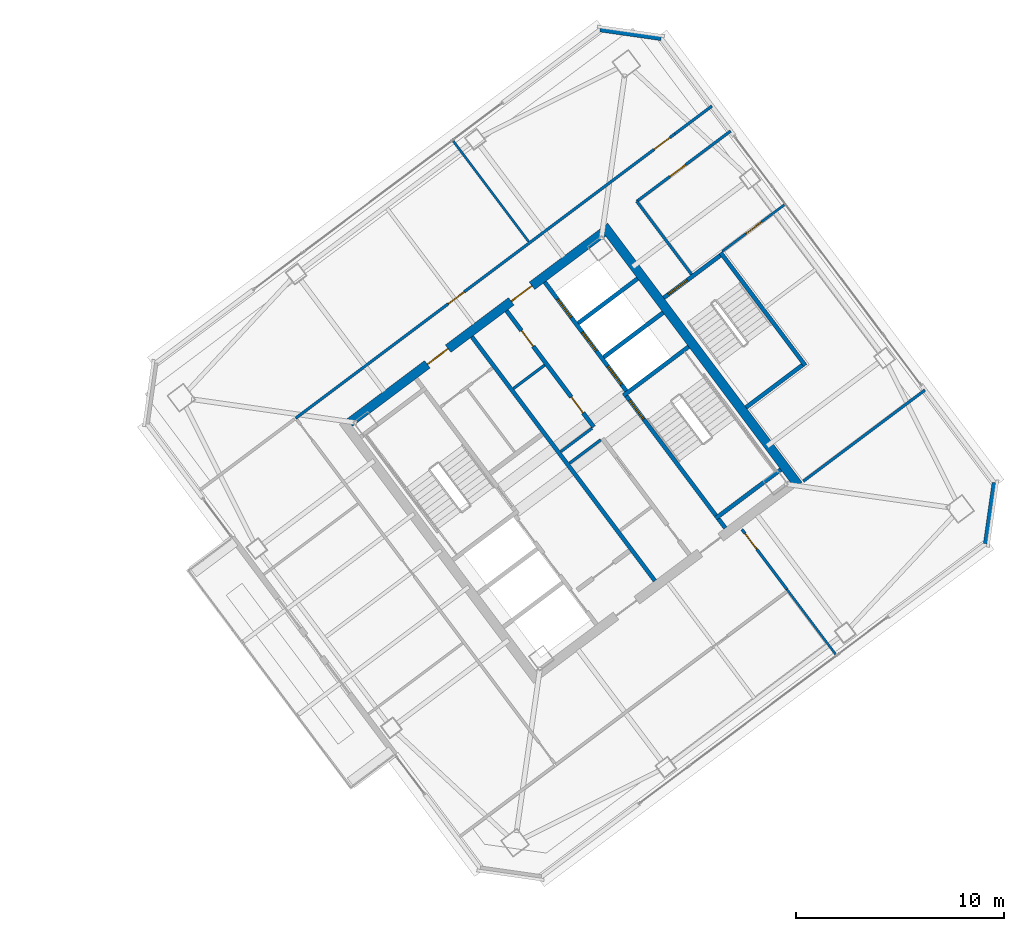
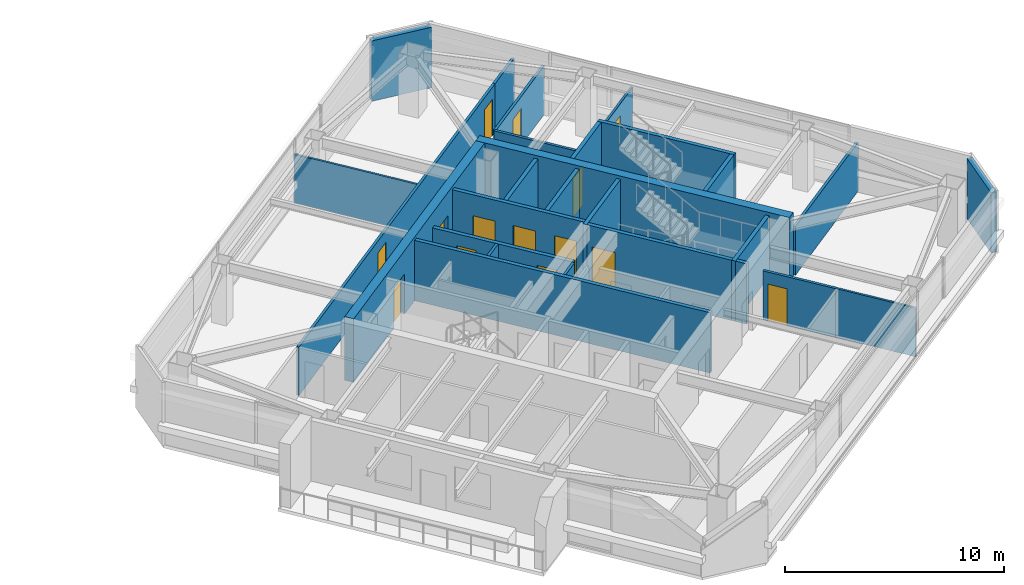
# One storey, part 32 of 39: 27 walls, 14 doors, 14 openings.
"""IFC4 building model written with IfcOpenShell, lengths in metres."""

from ifc_helpers import new_model, si_unit, direction, frame, frame_2d, origin, place, context, subcontext, project, spatial, rectangle, extrude, material, layer, layer_set, type_object, element, fill, save


model = new_model("IFC4")

# Units and contexts
model_context = context("Model", 3, precision=1e-05, world=origin(), true_north=direction((0.0, 1.0)))
body_context = subcontext(model_context, "Body", "Model", "MODEL_VIEW")
ifc_project = project(units=[si_unit("LENGTHUNIT", "METRE"), si_unit("AREAUNIT", "SQUARE_METRE"), si_unit("VOLUMEUNIT", "CUBIC_METRE"), si_unit("PLANEANGLEUNIT", "RADIAN"), si_unit("MASSUNIT", "GRAM", prefix="KILO")], contexts=[model_context])

# Site, building, storey
site_placement = place(None, origin())
site = spatial("IfcSite", under=ifc_project, at=site_placement, CompositionType="ELEMENT")
building_placement = place(site_placement, origin())
building = spatial("IfcBuilding", under=site, at=building_placement, Name="Tashvorn Skyway Center", CompositionType="ELEMENT")
storey_placement = place(building_placement, frame((0.0, 0.0, 225.5)))
storey = spatial("IfcBuildingStorey", under=building, at=storey_placement, Name="L61", CompositionType="ELEMENT", Elevation=225.5)

# Wall
ifc_material_1 = material(Name="Concrete C50/60", Category="concrete")
ifc_layer_1 = layer(ifc_material_1, 0.449951171875)
ifc_layer_set_1 = layer_set([ifc_layer_1], Name="Concrete C50/60")
wall_type_1 = type_object("IfcWallType", Name="WALL-CORE-450", PredefinedType="SHEAR", material=ifc_layer_set_1)
wall_1_placement = place(storey_placement, frame((115.60400390625, 42.952880859375, 0.0), z_axis=(0.0, 0.0, 1.0), x_axis=(0.600005007985, -0.799996243986, 0.0)))
element("IfcWall", 1, at=wall_1_placement, inside=storey, type_object=wall_type_1, Name="Tower 2 L61 East Core Shear Wall", PredefinedType="SHEAR", context=body_context, shape_type="SweptSolid", body=[
    extrude(rectangle(XDim=15.60009765625, YDim=0.449951171875, at=frame_2d((7.800048828125, 0.0))), origin(), (0.0, 0.0, 1.0), 3.550048828125),
])

# Wall, openings, doors
wall_2_placement = place(storey_placement, frame((103.35107421875, 33.48193359375, 0.0), z_axis=(0.0, 0.0, 1.0), x_axis=(0.8, 0.6, 0.0)))
wall_2 = element("IfcWall", 2, at=wall_2_placement, inside=storey, type_object=wall_type_1, Name="Tower 2 L61 North Core Shear Wall", PredefinedType="SHEAR", context=body_context, shape_type="SweptSolid", body=[
    extrude(rectangle(XDim=15.260009765625, YDim=0.449951171875, at=frame_2d((7.6298828125, 0.0))), origin(), (0.0, 0.0, 1.0), 3.550048828125),
])
opening_1_placement = place(wall_2_placement, frame((4.679931640625, 0.0, 0.0)))
opening_1 = element("IfcOpeningElement", 3, at=opening_1_placement, cuts=wall_2, Name="Opening D-FFL-1250", PredefinedType="OPENING", context=body_context, shape_type="SweptSolid", body=[
    extrude(rectangle(XDim=1.25, YDim=2.25, at=frame_2d((0.625, 1.125))), frame((0.0, 0.23486328125, 0.0), z_axis=(0.0, -1.0, 0.0), x_axis=(1.0, 0.0, 0.0)), (0.0, 0.0, 1.0), 0.469970703125),
])
opening_2_placement = place(wall_2_placement, frame((9.72998046875, 0.0, 0.0)))
opening_2 = element("IfcOpeningElement", 4, at=opening_2_placement, cuts=wall_2, Name="Opening D-FFL-1250", PredefinedType="OPENING", context=body_context, shape_type="SweptSolid", body=[
    extrude(rectangle(XDim=1.25, YDim=2.25, at=frame_2d((0.625, 1.125))), frame((0.0, 0.23486328125, 0.0), z_axis=(0.0, -1.0, 0.0), x_axis=(1.0, 0.0, 0.0)), (0.0, 0.0, 1.0), 0.469970703125),
])
ifc_material_2 = material(Name="Hollow galvanized steel fire door assembly", Category="steel")
door_type_1 = type_object("IfcDoorType", Name="DOOR-FFL-1250", OperationType="NOTDEFINED", PredefinedType="DOOR", material=ifc_material_2)
door_1_placement = place(opening_1_placement, origin())
door_1 = element("IfcDoor", 5, at=door_1_placement, inside=storey, type_object=door_type_1, Name="Tower 2 L61 Core North Service Lobby Door", OperationType="SINGLE_SWING_LEFT", OverallHeight=2.25, OverallWidth=1.25, PredefinedType="DOOR", context=body_context, shape_type="SweptSolid", body=[
    extrude(rectangle(XDim=1.25, YDim=2.25, at=frame_2d((0.625, 1.125))), frame((0.0, 0.02490234375, 0.0), z_axis=(0.0, -1.0, 0.0), x_axis=(1.0, 0.0, 0.0)), (0.0, 0.0, 1.0), 0.050048828125),
])
fill(opening_1, door_1)
door_2_placement = place(opening_2_placement, origin())
door_2 = element("IfcDoor", 6, at=door_2_placement, inside=storey, type_object=door_type_1, Name="Tower 2 L61 Core North Lift Lobby Door", OperationType="SINGLE_SWING_RIGHT", OverallHeight=2.25, OverallWidth=1.25, PredefinedType="DOOR", context=body_context, shape_type="SweptSolid", body=[
    extrude(rectangle(XDim=1.25, YDim=2.25, at=frame_2d((0.625, 1.125))), frame((0.0, 0.02490234375, 0.0), z_axis=(0.0, -1.0, 0.0), x_axis=(1.0, 0.0, 0.0)), (0.0, 0.0, 1.0), 0.050048828125),
])
fill(opening_2, door_2)

# Walls
ifc_material_3 = material(Name="Precast concrete C40/50", Category="concrete")
ifc_layer_2 = layer(ifc_material_3, 0.280029296875)
ifc_layer_set_2 = layer_set([ifc_layer_2], Name="Precast concrete C40/50")
wall_type_2 = type_object("IfcWallType", Name="WALL-EXT-280", PredefinedType="SOLIDWALL", material=ifc_layer_set_2)
for number, where, z_axis, x_axis, name in (
    (7, (115.419921875, 52.43994140625, 0.0), (0.0, 0.0, 1.0), (0.989954425158, -0.14138683146, 0.0), "Tower 2 L61 NE Precast Chamfer Wall"),
    (8, (134.43994140625, 30.580078125, 0.0), (0.0, 0.0, 1.0), (-0.14138683146, -0.989954425158, 0.0), "Tower 2 L61 SE Precast Chamfer Wall"),
):
    element("IfcWall", number, at=place(storey_placement, frame(where, z_axis=z_axis, x_axis=x_axis)), inside=storey, type_object=wall_type_2, Name=name, PredefinedType="SOLIDWALL", context=body_context, shape_type="SweptSolid", body=[
        extrude(rectangle(XDim=2.969970703125, YDim=0.280029296875, at=frame_2d((1.48486328125, 0.0))), origin(), (0.0, 0.0, 1.0), 3.3701171875),
    ])
ifc_material_4 = material(Name="Gypsum board on cold-formed steel stud framing", Category="steel")
ifc_layer_3 = layer(ifc_material_4, 0.110107421875)
ifc_layer_set_3 = layer_set([ifc_layer_3], Name="Gypsum board on cold-formed steel stud framing")
wall_type_3 = type_object("IfcWallType", Name="WALL-PART-110", PredefinedType="PARTITIONING", material=ifc_layer_set_3)
wall_3_placement = place(storey_placement, frame((111.971923828125, 42.2041015625, 0.0), z_axis=(0.0, 0.0, 1.0), x_axis=(-0.6, 0.8, 0.0)))
element("IfcWall", 9, at=wall_3_placement, inside=storey, type_object=wall_type_3, Name="Tower 2 L61 North Suite Partition 1", PredefinedType="PARTITIONING", context=body_context, shape_type="SweptSolid", body=[
    extrude(rectangle(XDim=6.099853515625, YDim=0.110107421875, at=frame_2d((3.0498046875, 0.0))), origin(), (0.0, 0.0, 1.0), 2.722900390625),
])
wall_4_placement = place(storey_placement, frame((126.80810546875, 22.256103515625, 0.0), z_axis=(0.0, 0.0, 1.0), x_axis=(-0.600019580308, 0.799985314394, 0.0)))
element("IfcWall", 10, at=wall_4_placement, inside=storey, type_object=wall_type_3, Name="Tower 2 L61 South-East Suite Wall", PredefinedType="PARTITIONING", context=body_context, shape_type="SweptSolid", body=[
    extrude(rectangle(XDim=3.989990234375, YDim=0.110107421875, at=frame_2d((1.9951171875, 0.0))), origin(), (0.0, 0.0, 1.0), 2.722900390625),
])

# Wall, opening, door
wall_5_placement = place(storey_placement, frame((124.343994140625, 44.008056640625, 0.0), z_axis=(0.0, 0.0, 1.0), x_axis=(-0.8, -0.6, 0.0)))
wall_5 = element("IfcWall", 11, at=wall_5_placement, inside=storey, type_object=wall_type_3, Name="Tower 2 L61 East Suite Partition 1", PredefinedType="PARTITIONING", context=body_context, shape_type="SweptSolid", body=[
    extrude(rectangle(XDim=3.800048828125, YDim=0.110107421875, at=frame_2d((1.89990234375, 0.0))), origin(), (0.0, 0.0, 1.0), 2.722900390625),
])
opening_3_placement = place(wall_5_placement, frame((1.425048828125, 0.0, 0.0)))
opening_3 = element("IfcOpeningElement", 12, at=opening_3_placement, cuts=wall_5, Name="Opening D-INT-950", PredefinedType="OPENING", context=body_context, shape_type="SweptSolid", body=[
    extrude(rectangle(XDim=0.949951171875, YDim=2.050048828125, at=frame_2d((0.47509765625, 1.02490234375))), frame((0.0, 0.06494140625, 0.0), z_axis=(0.0, -1.0, 0.0), x_axis=(1.0, 0.0, 0.0)), (0.0, 0.0, 1.0), 0.130126953125),
])
ifc_material_5 = material(Name="Solid-core architectural oak veneer door")
door_type_2 = type_object("IfcDoorType", Name="DOOR-INT-950", OperationType="NOTDEFINED", PredefinedType="DOOR", material=ifc_material_5)
door_3_placement = place(opening_3_placement, origin())
door_3 = element("IfcDoor", 13, at=door_3_placement, inside=storey, type_object=door_type_2, Name="Tower 2 L61 Corporate Office Door", OperationType="SINGLE_SWING_RIGHT", OverallHeight=2.050048828125, OverallWidth=0.949951171875, PredefinedType="DOOR", context=body_context, shape_type="SweptSolid", body=[
    extrude(rectangle(XDim=0.949951171875, YDim=2.050048828125, at=frame_2d((0.47509765625, 1.02490234375))), frame((0.0, 0.02490234375, 0.0), z_axis=(0.0, -1.0, 0.0), x_axis=(1.0, 0.0, 0.0)), (0.0, 0.0, 1.0), 0.050048828125),
])
fill(opening_3, door_3)

# Wall
ifc_layer_4 = layer(ifc_material_4, 0.135009765625)
ifc_layer_set_4 = layer_set([ifc_layer_4], Name="Gypsum board on cold-formed steel stud framing")
wall_type_4 = type_object("IfcWallType", Name="WALL-PART-135", PredefinedType="PARTITIONING", material=ifc_layer_set_4)
wall_6_placement = place(storey_placement, frame((119.823974609375, 40.617919921875, 0.0), z_axis=(0.0, 0.0, 1.0), x_axis=(-0.599982243973, 0.800013316712, 0.0)))
element("IfcWall", 14, at=wall_6_placement, inside=storey, type_object=wall_type_4, Name="Tower 2 L61 Stair 3 Access Corridor Wall", PredefinedType="PARTITIONING", context=body_context, shape_type="SweptSolid", body=[
    extrude(rectangle(XDim=4.39990234375, YDim=0.135009765625, at=frame_2d((2.199951171875, 0.0))), origin(), (0.0, 0.0, 1.0), 2.722900390625),
])

# Wall, openings, doors
wall_7_placement = place(storey_placement, frame((100.756103515625, 33.69189453125, 0.0), z_axis=(0.0, 0.0, 1.0), x_axis=(0.799998716732, 0.60000171102, 0.0)))
wall_7 = element("IfcWall", 15, at=wall_7_placement, inside=storey, type_object=wall_type_4, Name="Tower 2 L61 North Suite Wall", PredefinedType="PARTITIONING", context=body_context, shape_type="SweptSolid", body=[
    extrude(rectangle(XDim=22.829833984375, YDim=0.135009765625, at=frame_2d((11.4150390625, 0.0))), origin(), (0.0, 0.0, 1.0), 2.722900390625),
])
opening_4_placement = place(wall_7_placement, frame((9.19287109375, 0.0, 0.0)))
opening_4 = element("IfcOpeningElement", 16, at=opening_4_placement, cuts=wall_7, Name="Opening D-INT-950", PredefinedType="OPENING", context=body_context, shape_type="SweptSolid", body=[
    extrude(rectangle(XDim=0.949951171875, YDim=2.050048828125, at=frame_2d((0.47509765625, 1.02490234375))), frame((0.0, 0.077392578125, 0.0), z_axis=(0.0, -1.0, 0.0), x_axis=(1.0, 0.0, 0.0)), (0.0, 0.0, 1.0), 0.155029296875),
])
opening_5_placement = place(wall_7_placement, frame((21.580078125, 0.0, 0.0)))
opening_5 = element("IfcOpeningElement", 17, at=opening_5_placement, cuts=wall_7, Name="Opening D-INT-950", PredefinedType="OPENING", context=body_context, shape_type="SweptSolid", body=[
    extrude(rectangle(XDim=0.949951171875, YDim=2.050048828125, at=frame_2d((0.47509765625, 1.02490234375))), frame((0.0, 0.077392578125, 0.0), z_axis=(0.0, -1.0, 0.0), x_axis=(1.0, 0.0, 0.0)), (0.0, 0.0, 1.0), 0.155029296875),
])
door_4_placement = place(opening_4_placement, origin())
door_4 = element("IfcDoor", 18, at=door_4_placement, inside=storey, type_object=door_type_2, Name="Tower 2 L61 Wellness Clinic Door", OperationType="SINGLE_SWING_LEFT", OverallHeight=2.050048828125, OverallWidth=0.949951171875, PredefinedType="DOOR", context=body_context, shape_type="SweptSolid", body=[
    extrude(rectangle(XDim=0.949951171875, YDim=2.050048828125, at=frame_2d((0.47509765625, 1.02490234375))), frame((0.0, 0.02490234375, 0.0), z_axis=(0.0, -1.0, 0.0), x_axis=(1.0, 0.0, 0.0)), (0.0, 0.0, 1.0), 0.050048828125),
])
fill(opening_4, door_4)
door_5_placement = place(opening_5_placement, origin())
door_5 = element("IfcDoor", 19, at=door_5_placement, inside=storey, type_object=door_type_2, Name="Tower 2 L61 Wellness Clinic Door", OperationType="SINGLE_SWING_RIGHT", OverallHeight=2.050048828125, OverallWidth=0.949951171875, PredefinedType="DOOR", context=body_context, shape_type="SweptSolid", body=[
    extrude(rectangle(XDim=0.949951171875, YDim=2.050048828125, at=frame_2d((0.47509765625, 1.02490234375))), frame((0.0, 0.02490234375, 0.0), z_axis=(0.0, -1.0, 0.0), x_axis=(1.0, 0.0, 0.0)), (0.0, 0.0, 1.0), 0.050048828125),
])
fill(opening_5, door_5)

# Wall
wall_8_placement = place(storey_placement, frame((119.02001953125, 47.389892578125, 0.0), z_axis=(0.0, 0.0, 1.0), x_axis=(0.799960585956, 0.600052548463, 0.0)))
element("IfcWall", 20, at=wall_8_placement, inside=storey, type_object=wall_type_4, Name="Tower 2 L61 North-East Suite South Wall", PredefinedType="PARTITIONING", context=body_context, shape_type="SweptSolid", body=[
    extrude(rectangle(XDim=2.22998046875, YDim=0.135009765625, at=frame_2d((1.114990234375, 0.0))), origin(), (0.0, 0.0, 1.0), 2.722900390625),
])

# Wall, opening, door
wall_9_placement = place(storey_placement, frame((122.248046875, 28.3359375, 0.0), z_axis=(0.0, 0.0, 1.0), x_axis=(0.600010820699, -0.799991884361, 0.0)))
wall_9 = element("IfcWall", 21, at=wall_9_placement, inside=storey, type_object=wall_type_4, Name="Tower 2 L61 South Gallery End Wall", PredefinedType="PARTITIONING", context=body_context, shape_type="SweptSolid", body=[
    extrude(rectangle(XDim=3.60986328125, YDim=0.135009765625, at=frame_2d((1.804931640625, 0.0))), origin(), (0.0, 0.0, 1.0), 2.722900390625),
])
opening_6_placement = place(wall_9_placement, frame((0.25, 0.0, 0.0)))
opening_6 = element("IfcOpeningElement", 22, at=opening_6_placement, cuts=wall_9, Name="Opening D-INT-950", PredefinedType="OPENING", context=body_context, shape_type="SweptSolid", body=[
    extrude(rectangle(XDim=0.949951171875, YDim=2.050048828125, at=frame_2d((0.47509765625, 1.02490234375))), frame((0.0, 0.077392578125, 0.0), z_axis=(0.0, -1.0, 0.0), x_axis=(1.0, 0.0, 0.0)), (0.0, 0.0, 1.0), 0.155029296875),
])
door_6_placement = place(opening_6_placement, origin())
door_6 = element("IfcDoor", 23, at=door_6_placement, inside=storey, type_object=door_type_2, Name="Tower 2 L61 Operations Control Room Door", OperationType="SINGLE_SWING_RIGHT", OverallHeight=2.050048828125, OverallWidth=0.949951171875, PredefinedType="DOOR", context=body_context, shape_type="SweptSolid", body=[
    extrude(rectangle(XDim=0.949951171875, YDim=2.050048828125, at=frame_2d((0.47509765625, 1.02490234375))), frame((0.0, 0.02490234375, 0.0), z_axis=(0.0, -1.0, 0.0), x_axis=(1.0, 0.0, 0.0)), (0.0, 0.0, 1.0), 0.050048828125),
])
fill(opening_6, door_6)

wall_10_placement = place(storey_placement, frame((121.7041015625, 47.528076171875, 0.0), z_axis=(0.0, 0.0, 1.0), x_axis=(-0.799989629485, -0.600013827105, 0.0)))
wall_10 = element("IfcWall", 24, at=wall_10_placement, inside=storey, type_object=wall_type_4, Name="Tower 2 L61 East Suite North Wall", PredefinedType="PARTITIONING", context=body_context, shape_type="SweptSolid", body=[
    extrude(rectangle(XDim=5.650146484375, YDim=0.135009765625, at=frame_2d((2.8251953125, 0.0))), origin(), (0.0, 0.0, 1.0), 2.722900390625),
])
opening_7_placement = place(wall_10_placement, frame((2.699951171875, 0.0, 0.0)))
opening_7 = element("IfcOpeningElement", 25, at=opening_7_placement, cuts=wall_10, Name="Opening D-INT-950", PredefinedType="OPENING", context=body_context, shape_type="SweptSolid", body=[
    extrude(rectangle(XDim=0.949951171875, YDim=2.050048828125, at=frame_2d((0.47509765625, 1.02490234375))), frame((0.0, 0.077392578125, 0.0), z_axis=(0.0, -1.0, 0.0), x_axis=(1.0, 0.0, 0.0)), (0.0, 0.0, 1.0), 0.155029296875),
])
door_7_placement = place(opening_7_placement, origin())
door_7 = element("IfcDoor", 26, at=door_7_placement, inside=storey, type_object=door_type_2, Name="Tower 2 L61 Operations Control Room Door", OperationType="SINGLE_SWING_LEFT", OverallHeight=2.050048828125, OverallWidth=0.949951171875, PredefinedType="DOOR", context=body_context, shape_type="SweptSolid", body=[
    extrude(rectangle(XDim=0.949951171875, YDim=2.050048828125, at=frame_2d((0.47509765625, 1.02490234375))), frame((0.0, 0.02490234375, 0.0), z_axis=(0.0, -1.0, 0.0), x_axis=(1.0, 0.0, 0.0)), (0.0, 0.0, 1.0), 0.050048828125),
])
fill(opening_7, door_7)

# Walls
wall_11_placement = place(storey_placement, frame((125.2080078125, 30.656005859375, 0.0), z_axis=(0.0, 0.0, 1.0), x_axis=(0.79999199534, 0.600010672732, 0.0)))
element("IfcWall", 27, at=wall_11_placement, inside=storey, type_object=wall_type_4, Name="Tower 2 L61 East Suite South Wall", PredefinedType="PARTITIONING", context=body_context, shape_type="SweptSolid", body=[
    extrude(rectangle(XDim=7.320068359375, YDim=0.135009765625, at=frame_2d((3.66015625, 0.0))), origin(), (0.0, 0.0, 1.0), 2.722900390625),
])
ifc_layer_5 = layer(ifc_material_4, 0.135009765625)
ifc_layer_set_5 = layer_set([ifc_layer_5], Name="Gypsum board on cold-formed steel stud framing")
wall_type_5 = type_object("IfcWallType", Name="WALL-RATED-135", PredefinedType="PARTITIONING", material=ifc_layer_set_5)
wall_12_placement = place(storey_placement, frame((113.946044921875, 31.52197265625, 0.0), z_axis=(0.0, 0.0, 1.0), x_axis=(0.8, 0.6, 0.0)))
element("IfcWall", 28, at=wall_12_placement, inside=storey, type_object=wall_type_5, Name="Tower 2 L61 Core Room Partition", PredefinedType="PARTITIONING", context=body_context, shape_type="SweptSolid", body=[
    extrude(rectangle(XDim=1.8798828125, YDim=0.135009765625, at=frame_2d((0.93994140625, 0.0))), origin(), (0.0, 0.0, 1.0), 2.722900390625),
])
wall_13_placement = place(storey_placement, frame((113.52587890625, 32.08203125, 0.0), z_axis=(0.0, 0.0, 1.0), x_axis=(0.800046745961, 0.599937666993, 0.0)))
element("IfcWall", 29, at=wall_13_placement, inside=storey, type_object=wall_type_5, Name="Tower 2 L61 Core Room Partition", PredefinedType="PARTITIONING", context=body_context, shape_type="SweptSolid", body=[
    extrude(rectangle(XDim=1.880126953125, YDim=0.135009765625, at=frame_2d((0.93994140625, 0.0))), origin(), (0.0, 0.0, 1.0), 2.722900390625),
])
wall_14_placement = place(storey_placement, frame((111.24609375, 35.1220703125, 0.0), z_axis=(0.0, 0.0, 1.0), x_axis=(0.8, 0.6, 0.0)))
element("IfcWall", 30, at=wall_14_placement, inside=storey, type_object=wall_type_5, Name="Tower 2 L61 Freed Mid-Rise Partition", PredefinedType="PARTITIONING", context=body_context, shape_type="SweptSolid", body=[
    extrude(rectangle(XDim=1.8798828125, YDim=0.135009765625, at=frame_2d((0.93994140625, 0.0))), origin(), (0.0, 0.0, 1.0), 2.722900390625),
])
ifc_material_6 = material(Name="Concrete C40/50", Category="concrete")
ifc_layer_6 = layer(ifc_material_6, 0.199951171875)
ifc_layer_set_6 = layer_set([ifc_layer_6], Name="Concrete C40/50")
wall_type_6 = type_object("IfcWallType", Name="WALL-SHAFT-200", PredefinedType="SOLIDWALL", material=ifc_layer_set_6)
for number, where, z_axis, x_axis, name in (
    (31, (115.590087890625, 36.6298828125, 0.0), (0.0, 0.0, 1.0), (0.799975449747, 0.600032732276, 0.0), "Tower 2 L61 High-Rise Shaft Divider"),
    (32, (114.360107421875, 38.27001953125, 0.0), (0.0, 0.0, 1.0), (0.800008183455, 0.599989088572, 0.0), "Tower 2 L61 High-Rise Shaft Divider"),
):
    element("IfcWall", number, at=place(storey_placement, frame(where, z_axis=z_axis, x_axis=x_axis)), inside=storey, type_object=wall_type_6, Name=name, PredefinedType="SOLIDWALL", context=body_context, shape_type="SweptSolid", body=[
        extrude(rectangle(XDim=3.580078125, YDim=0.199951171875, at=frame_2d((1.7900390625, 0.0))), origin(), (0.0, 0.0, 1.0), 3.3701171875),
    ])

# Wall, openings, doors
wall_15_placement = place(storey_placement, frame((115.110107421875, 33.27001953125, 0.0), z_axis=(0.0, 0.0, 1.0), x_axis=(-0.600011160345, 0.79999162962, 0.0)))
wall_15 = element("IfcWall", 33, at=wall_15_placement, inside=storey, type_object=wall_type_6, Name="Tower 2 L61 Mid-Rise Core Wall", PredefinedType="SOLIDWALL", context=body_context, shape_type="SweptSolid", body=[
    extrude(rectangle(XDim=7.000244140625, YDim=0.199951171875, at=frame_2d((3.5, 0.0))), origin(), (0.0, 0.0, 1.0), 2.722900390625),
])
opening_8_placement = place(wall_15_placement, frame((0.85009765625, 0.0, 0.0)))
opening_8 = element("IfcOpeningElement", 34, at=opening_8_placement, cuts=wall_15, Name="Opening D-RT-950", PredefinedType="OPENING", context=body_context, shape_type="SweptSolid", body=[
    extrude(rectangle(XDim=0.949951171875, YDim=2.050048828125, at=frame_2d((0.47509765625, 1.02490234375))), frame((0.0, 0.10986328125, 0.0), z_axis=(0.0, -1.0, 0.0), x_axis=(1.0, 0.0, 0.0)), (0.0, 0.0, 1.0), 0.219970703125),
])
opening_9_placement = place(wall_15_placement, frame((4.85009765625, 0.0, 0.0)))
opening_9 = element("IfcOpeningElement", 35, at=opening_9_placement, cuts=wall_15, Name="Opening D-RT-950", PredefinedType="OPENING", context=body_context, shape_type="SweptSolid", body=[
    extrude(rectangle(XDim=0.949951171875, YDim=2.050048828125, at=frame_2d((0.47509765625, 1.02490234375))), frame((0.0, 0.10986328125, 0.0), z_axis=(0.0, -1.0, 0.0), x_axis=(1.0, 0.0, 0.0)), (0.0, 0.0, 1.0), 0.219970703125),
])
door_type_3 = type_object("IfcDoorType", Name="DOOR-RATED-950", OperationType="NOTDEFINED", PredefinedType="DOOR", material=ifc_material_2)
door_8_placement = place(opening_8_placement, origin())
door_8 = element("IfcDoor", 36, at=door_8_placement, inside=storey, type_object=door_type_3, Name="Tower 2 L61 Core IT Room Door", OperationType="SINGLE_SWING_RIGHT", OverallHeight=2.050048828125, OverallWidth=0.949951171875, PredefinedType="DOOR", context=body_context, shape_type="SweptSolid", body=[
    extrude(rectangle(XDim=0.949951171875, YDim=2.050048828125, at=frame_2d((0.47509765625, 1.02490234375))), frame((0.0, 0.02490234375, 0.0), z_axis=(0.0, -1.0, 0.0), x_axis=(1.0, 0.0, 0.0)), (0.0, 0.0, 1.0), 0.050048828125),
])
fill(opening_8, door_8)
door_9_placement = place(opening_9_placement, origin())
door_9 = element("IfcDoor", 37, at=door_9_placement, inside=storey, type_object=door_type_3, Name="Tower 2 L61 Core Catering Pantry Door", OperationType="SINGLE_SWING_LEFT", OverallHeight=2.050048828125, OverallWidth=0.949951171875, PredefinedType="DOOR", context=body_context, shape_type="SweptSolid", body=[
    extrude(rectangle(XDim=0.949951171875, YDim=2.050048828125, at=frame_2d((0.47509765625, 1.02490234375))), frame((0.0, 0.02490234375, 0.0), z_axis=(0.0, -1.0, 0.0), x_axis=(1.0, 0.0, 0.0)), (0.0, 0.0, 1.0), 0.050048828125),
])
fill(opening_9, door_9)

# Wall, opening, door
ifc_layer_7 = layer(ifc_material_6, 0.199951171875)
ifc_layer_set_7 = layer_set([ifc_layer_7], Name="Concrete C40/50")
wall_type_7 = type_object("IfcWallType", Name="WALL-STSHF-200", PredefinedType="SHEAR", material=ifc_layer_set_7)
wall_16_placement = place(storey_placement, frame((116.56005859375, 34.919921875, 0.0), z_axis=(0.0, 0.0, 1.0), x_axis=(0.59999041401, -0.800007189403, 0.0)))
wall_16 = element("IfcWall", 38, at=wall_16_placement, inside=storey, type_object=wall_type_7, Name="Tower 2 L61 Stair 2 Enclosure Wall", PredefinedType="SHEAR", context=body_context, shape_type="SweptSolid", body=[
    extrude(rectangle(XDim=8.14990234375, YDim=0.199951171875, at=frame_2d((4.074951171875, 0.0))), origin(), (0.0, 0.0, 1.0), 3.3701171875),
])
opening_10_placement = place(wall_16_placement, frame((0.449951171875, 0.0, 0.0)))
opening_10 = element("IfcOpeningElement", 39, at=opening_10_placement, cuts=wall_16, Name="Opening D-ST-1150", PredefinedType="OPENING", context=body_context, shape_type="SweptSolid", body=[
    extrude(rectangle(XDim=1.14990234375, YDim=2.199951171875, at=frame_2d((0.574951171875, 1.10009765625))), frame((0.0, 0.10986328125, 0.0), z_axis=(0.0, -1.0, 0.0), x_axis=(1.0, 0.0, 0.0)), (0.0, 0.0, 1.0), 0.219970703125),
])
door_type_4 = type_object("IfcDoorType", Name="DOOR-STAIR-1150", OperationType="NOTDEFINED", PredefinedType="DOOR", material=ifc_material_2)
door_10_placement = place(opening_10_placement, origin())
door_10 = element("IfcDoor", 40, at=door_10_placement, inside=storey, type_object=door_type_4, Name="Tower 2 L61 Exit Stair 2 Door", OperationType="SINGLE_SWING_RIGHT", OverallHeight=2.199951171875, OverallWidth=1.14990234375, PredefinedType="DOOR", context=body_context, shape_type="SweptSolid", body=[
    extrude(rectangle(XDim=1.14990234375, YDim=2.199951171875, at=frame_2d((0.574951171875, 1.10009765625))), frame((0.0, 0.02490234375, 0.0), z_axis=(0.0, -1.0, 0.0), x_axis=(1.0, 0.0, 0.0)), (0.0, 0.0, 1.0), 0.050048828125),
])
fill(opening_10, door_10)

# Walls
for number, where, z_axis, x_axis, name in (
    (41, (116.5400390625, 34.780029296875, 0.0), (0.0, 0.0, 1.0), (0.800014909178, 0.599980120581, 0.0), "Tower 2 L61 Stair 2 North Wall"),
    (42, (120.97998046875, 28.860107421875, 0.0), (0.0, 0.0, 1.0), (0.800014909178, 0.599980120581, 0.0), "Tower 2 L61 Stair 2 South Wall"),
):
    element("IfcWall", number, at=place(storey_placement, frame(where, z_axis=z_axis, x_axis=x_axis)), inside=storey, type_object=wall_type_7, Name=name, PredefinedType="SHEAR", context=body_context, shape_type="SweptSolid", body=[
        extrude(rectangle(XDim=3.929931640625, YDim=0.199951171875, at=frame_2d((1.96484375, 0.0))), origin(), (0.0, 0.0, 1.0), 3.3701171875),
    ])
wall_17_placement = place(storey_placement, frame((118.05810546875, 25.85595703125, 0.0), z_axis=(0.0, 0.0, 1.0), x_axis=(-0.600002657301, 0.799998007018, 0.0)))
element("IfcWall", 43, at=wall_17_placement, inside=storey, type_object=wall_type_7, Name="Tower 2 L61 Firefighting Lobby East Smoke Barrier", PredefinedType="SHEAR", context=body_context, shape_type="SweptSolid", body=[
    extrude(rectangle(XDim=14.699951171875, YDim=0.199951171875, at=frame_2d((7.35009765625, 0.0))), origin(), (0.0, 0.0, 1.0), 3.3701171875),
])

# Wall, openings, doors
wall_18_placement = place(storey_placement, frame((112.75, 40.25, 0.0), z_axis=(0.0, 0.0, 1.0), x_axis=(0.599994036198, -0.800004472816, 0.0)))
wall_18 = element("IfcWall", 44, at=wall_18_placement, inside=storey, type_object=wall_type_7, Name="Tower 2 L61 High-Rise Lift Shaft Front Wall", PredefinedType="SHEAR", context=body_context, shape_type="SweptSolid", body=[
    extrude(rectangle(XDim=6.550048828125, YDim=0.199951171875, at=frame_2d((3.27490234375, 0.0))), origin(), (0.0, 0.0, 1.0), 3.3701171875),
])
opening_11_placement = place(wall_18_placement, frame((5.074951171875, 0.0, 0.0)))
opening_11 = element("IfcOpeningElement", 45, at=opening_11_placement, cuts=wall_18, Name="Opening LD-HR-T2-1-L61", PredefinedType="OPENING", context=body_context, shape_type="SweptSolid", body=[
    extrude(rectangle(XDim=1.10009765625, YDim=2.199951171875, at=frame_2d((0.550048828125, 1.10009765625))), frame((0.0, 0.10986328125, 0.0), z_axis=(0.0, -1.0, 0.0), x_axis=(1.0, 0.0, 0.0)), (0.0, 0.0, 1.0), 0.219970703125),
])
opening_12_placement = place(wall_18_placement, frame((3.02490234375, 0.0, 0.0)))
opening_12 = element("IfcOpeningElement", 46, at=opening_12_placement, cuts=wall_18, Name="Opening LD-HR-T2-2-L61", PredefinedType="OPENING", context=body_context, shape_type="SweptSolid", body=[
    extrude(rectangle(XDim=1.10009765625, YDim=2.199951171875, at=frame_2d((0.550048828125, 1.10009765625))), frame((0.0, 0.10986328125, 0.0), z_axis=(0.0, -1.0, 0.0), x_axis=(1.0, 0.0, 0.0)), (0.0, 0.0, 1.0), 0.219970703125),
])
opening_13_placement = place(wall_18_placement, frame((1.02490234375, 0.0, 0.0)))
opening_13 = element("IfcOpeningElement", 47, at=opening_13_placement, cuts=wall_18, Name="Opening LD-HR-T2-3-L61", PredefinedType="OPENING", context=body_context, shape_type="SweptSolid", body=[
    extrude(rectangle(XDim=1.10009765625, YDim=2.199951171875, at=frame_2d((0.550048828125, 1.10009765625))), frame((0.0, 0.10986328125, 0.0), z_axis=(0.0, -1.0, 0.0), x_axis=(1.0, 0.0, 0.0)), (0.0, 0.0, 1.0), 0.219970703125),
])
ifc_material_7 = material(Name="Stainless steel landing door", Category="steel")
door_type_5 = type_object("IfcDoorType", Name="DOOR-LIFT-1100", OperationType="SLIDING_TO_LEFT", PredefinedType="DOOR", material=ifc_material_7)
door_11_placement = place(opening_11_placement, origin())
door_11 = element("IfcDoor", 48, at=door_11_placement, inside=storey, type_object=door_type_5, Name="Lift HR-T2-1 L61 Landing Door", OperationType="SLIDING_TO_LEFT", OverallHeight=2.199951171875, OverallWidth=1.10009765625, PredefinedType="DOOR", context=body_context, shape_type="SweptSolid", body=[
    extrude(rectangle(XDim=1.10009765625, YDim=2.199951171875, at=frame_2d((0.550048828125, 1.10009765625))), frame((0.0, 0.02490234375, 0.0), z_axis=(0.0, -1.0, 0.0), x_axis=(1.0, 0.0, 0.0)), (0.0, 0.0, 1.0), 0.050048828125),
])
fill(opening_11, door_11)
door_12_placement = place(opening_12_placement, origin())
door_12 = element("IfcDoor", 49, at=door_12_placement, inside=storey, type_object=door_type_5, Name="Lift HR-T2-2 L61 Landing Door", OperationType="SLIDING_TO_LEFT", OverallHeight=2.199951171875, OverallWidth=1.10009765625, PredefinedType="DOOR", context=body_context, shape_type="SweptSolid", body=[
    extrude(rectangle(XDim=1.10009765625, YDim=2.199951171875, at=frame_2d((0.550048828125, 1.10009765625))), frame((0.0, 0.02490234375, 0.0), z_axis=(0.0, -1.0, 0.0), x_axis=(1.0, 0.0, 0.0)), (0.0, 0.0, 1.0), 0.050048828125),
])
fill(opening_12, door_12)
door_13_placement = place(opening_13_placement, origin())
door_13 = element("IfcDoor", 50, at=door_13_placement, inside=storey, type_object=door_type_5, Name="Lift HR-T2-3 L61 Landing Door", OperationType="SLIDING_TO_LEFT", OverallHeight=2.199951171875, OverallWidth=1.10009765625, PredefinedType="DOOR", context=body_context, shape_type="SweptSolid", body=[
    extrude(rectangle(XDim=1.10009765625, YDim=2.199951171875, at=frame_2d((0.550048828125, 1.10009765625))), frame((0.0, 0.02490234375, 0.0), z_axis=(0.0, -1.0, 0.0), x_axis=(1.0, 0.0, 0.0)), (0.0, 0.0, 1.0), 0.050048828125),
])
fill(opening_13, door_13)

# Wall
wall_19_placement = place(storey_placement, frame((125.303955078125, 36.22802734375, 0.0), z_axis=(0.0, 0.0, 1.0), x_axis=(-0.59998851072, 0.800008616831, 0.0)))
element("IfcWall", 51, at=wall_19_placement, inside=storey, type_object=wall_type_7, Name="Tower 2 L61 Stair 3 Outer Wall", PredefinedType="SHEAR", context=body_context, shape_type="SweptSolid", body=[
    extrude(rectangle(XDim=6.7998046875, YDim=0.199951171875, at=frame_2d((3.39990234375, 0.0))), origin(), (0.0, 0.0, 1.0), 3.3701171875),
])

# Wall, opening, door
wall_20_placement = place(storey_placement, frame((121.2041015625, 41.528076171875, 0.0), z_axis=(0.0, 0.0, 1.0), x_axis=(-0.800017232136, -0.599977023131, 0.0)))
wall_20 = element("IfcWall", 52, at=wall_20_placement, inside=storey, type_object=wall_type_7, Name="Tower 2 L61 Stair 3 Enclosure Wall", PredefinedType="SHEAR", context=body_context, shape_type="SweptSolid", body=[
    extrude(rectangle(XDim=3.400146484375, YDim=0.199951171875, at=frame_2d((1.7001953125, 0.0))), origin(), (0.0, 0.0, 1.0), 3.3701171875),
])
opening_14_placement = place(wall_20_placement, frame((1.97509765625, 0.0, 0.0)))
opening_14 = element("IfcOpeningElement", 53, at=opening_14_placement, cuts=wall_20, Name="Opening D-ST-1150", PredefinedType="OPENING", context=body_context, shape_type="SweptSolid", body=[
    extrude(rectangle(XDim=1.14990234375, YDim=2.199951171875, at=frame_2d((0.574951171875, 1.10009765625))), frame((0.0, 0.10986328125, 0.0), z_axis=(0.0, -1.0, 0.0), x_axis=(1.0, 0.0, 0.0)), (0.0, 0.0, 1.0), 0.219970703125),
])
door_14_placement = place(opening_14_placement, origin())
door_14 = element("IfcDoor", 54, at=door_14_placement, inside=storey, type_object=door_type_4, Name="Tower 2 L61 Exit Stair 3 Door", OperationType="SINGLE_SWING_RIGHT", OverallHeight=2.199951171875, OverallWidth=1.14990234375, PredefinedType="DOOR", context=body_context, shape_type="SweptSolid", body=[
    extrude(rectangle(XDim=1.14990234375, YDim=2.199951171875, at=frame_2d((0.574951171875, 1.10009765625))), frame((0.0, 0.02490234375, 0.0), z_axis=(0.0, -1.0, 0.0), x_axis=(1.0, 0.0, 0.0)), (0.0, 0.0, 1.0), 0.050048828125),
])
fill(opening_14, door_14)

# Wall
wall_21_placement = place(storey_placement, frame((122.444091796875, 34.2080078125, 0.0), z_axis=(0.0, 0.0, 1.0), x_axis=(0.79999138319, 0.600011488909, 0.0)))
element("IfcWall", 55, at=wall_21_placement, inside=storey, type_object=wall_type_7, Name="Tower 2 L61 Stair 3 South Wall", PredefinedType="SHEAR", context=body_context, shape_type="SweptSolid", body=[
    extrude(rectangle(XDim=3.39990234375, YDim=0.199951171875, at=frame_2d((1.699951171875, 0.0))), origin(), (0.0, 0.0, 1.0), 3.3701171875),
])

save(model, "model.ifc")
